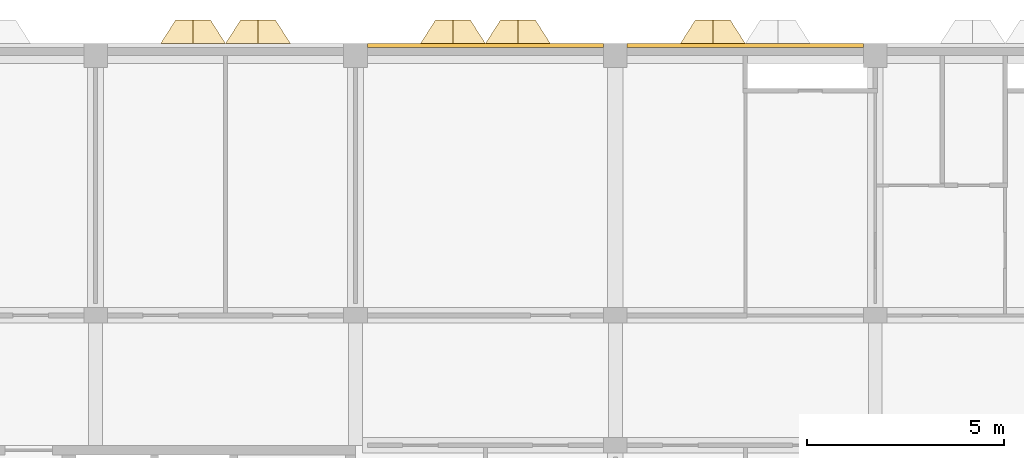
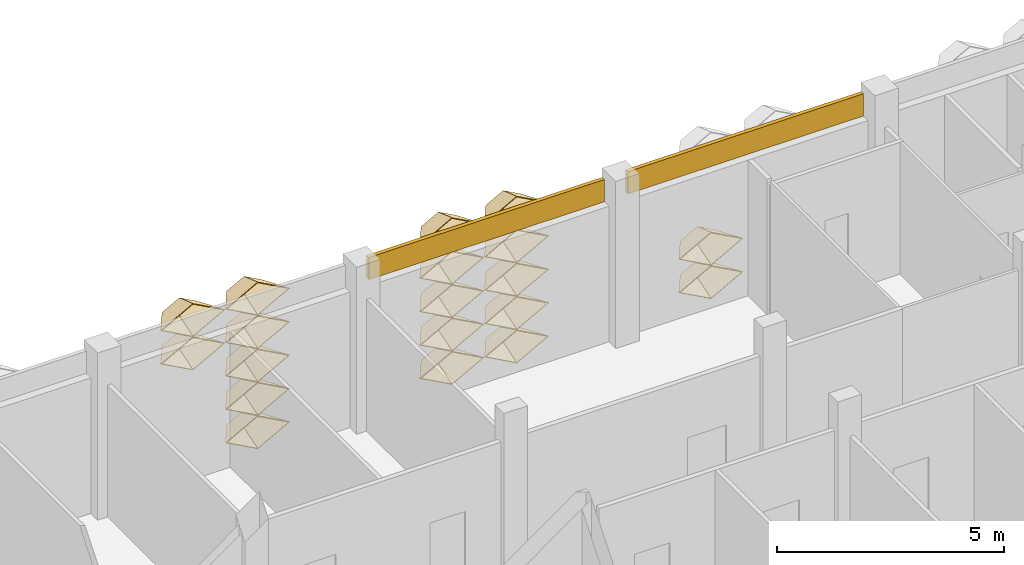
# One storey, part 95 of 109: 21 coverings.
"""IFC4 building model written with IfcOpenShell, lengths in metres."""

from ifc_helpers import new_model, entity, si_unit, direction, frame, frame_2d, origin, place, context, subcontext, project, spatial, rectangle, extrude, material, layer, layer_set, type_object, element, save


model = new_model("IFC4")

# Units and contexts
model_context = context("Model", 3, precision=1e-05, world=origin(), true_north=direction((0.0, 1.0)))
body_context = subcontext(model_context, "Body", "Model", "MODEL_VIEW")
ifc_project = project(units=[si_unit("LENGTHUNIT", "METRE"), si_unit("AREAUNIT", "SQUARE_METRE"), si_unit("VOLUMEUNIT", "CUBIC_METRE"), si_unit("PLANEANGLEUNIT", "RADIAN"), si_unit("MASSUNIT", "GRAM", prefix="KILO")], contexts=[model_context])

# Site, building, storey
site_placement = place(None, origin())
site = spatial("IfcSite", under=ifc_project, at=site_placement, CompositionType="ELEMENT")
building_placement = place(site_placement, origin())
building = spatial("IfcBuilding", under=site, at=building_placement, Name="Lantern Court Research Institute", CompositionType="ELEMENT")
storey_placement = place(building_placement, frame((0.0, 0.0, 14.39990234375)))
storey = spatial("IfcBuildingStorey", under=building, at=storey_placement, Name="L03", CompositionType="ELEMENT", Elevation=14.39990234375)

# Coverings
ifc_material_1 = material(Name="Aluminium composite panel with mineral wool insulation", Category="aluminium")
ifc_layer_1 = layer(ifc_material_1, 0.10009765625)
ifc_layer_set_1 = layer_set([ifc_layer_1], Name="Aluminium composite panel with mineral wool insulation")
covering_type_1 = type_object("IfcCoveringType", Name="Edge fascia panel 100 aluminium faced", PredefinedType="CLADDING", material=ifc_layer_set_1)
for number, where, z_axis, x_axis, name in (
    (1, (53.10009765625, 99.25, 3.650146484375), (0.0, 0.0, 1.0), (1.0, 0.0, 0.0), "Edge fascia V6N L03 08"),
    (2, (59.699951171875, 99.25, 3.650146484375), (0.0, 0.0, 1.0), (1.0, 0.0, 0.0), "Edge fascia V6N L03 09"),
):
    element("IfcCovering", number, at=place(storey_placement, frame(where, z_axis=z_axis, x_axis=x_axis)), inside=storey, type_object=covering_type_1, Name=name, PredefinedType="CLADDING", context=body_context, shape_type="SweptSolid", body=[
        extrude(rectangle(XDim=6.0, YDim=0.10009765625, at=frame_2d((3.0, 0.0))), origin(), (0.0, 0.0, 1.0), 0.599853515625),
    ])
ifc_material_2 = material(Name="Anodised aluminium", Category="aluminium")
ifc_layer_2 = layer(ifc_material_2, 0.01611328125)
ifc_layer_set_2 = layer_set([ifc_layer_2], Name="Anodised aluminium")
covering_type_2 = type_object("IfcCoveringType", Name="Fin cassette 1650 x 900 x 600 aluminium", PredefinedType="CLADDING", material=ifc_layer_set_2)
covering_1_placement = place(storey_placement, frame((50.324951171875, 99.300048828125, 0.4501953125), z_axis=(0.0, 1.0, 0.0), x_axis=(-1.0, 0.0, 0.0)))
cartesian_point_1 = entity("IfcCartesianPoint", [0.824951171875, 0.0])
cartesian_point_2 = entity("IfcCartesianPoint", [0.79150390625, 0.0])
cartesian_point_3 = entity("IfcCartesianPoint", [0.44189453125, 0.0])
cartesian_point_4 = entity("IfcCartesianPoint", [0.43359375, 0.0])
element("IfcCovering", 3, at=covering_1_placement, inside=storey, type_object=covering_type_2, Name="Fin cassette V6N-L03 1.31", PredefinedType="CLADDING", context=body_context, shape_type="SweptSolid", body=[
    entity("IfcExtrudedAreaSolidTapered", entity("IfcArbitraryProfileDefWithVoids", "AREA", None, entity("IfcPolyline", [cartesian_point_1, entity("IfcCartesianPoint", [0.0, 0.449951171875]), entity("IfcCartesianPoint", [-0.824951171875, 0.0]), entity("IfcCartesianPoint", [0.0, -0.449951171875]), cartesian_point_1]), [entity("IfcPolyline", [cartesian_point_2, entity("IfcCartesianPoint", [0.0, 0.431884765625]), entity("IfcCartesianPoint", [-0.79150390625, 0.0]), entity("IfcCartesianPoint", [0.0, -0.431884765625]), cartesian_point_2])]), entity("IfcAxis2Placement3D", entity("IfcCartesianPoint", [0.0, 0.0, 0.0])), entity("IfcDirection", [0.0, 0.0, 1.0]), 0.60009765625, entity("IfcArbitraryProfileDefWithVoids", "AREA", None, entity("IfcPolyline", [cartesian_point_3, entity("IfcCartesianPoint", [0.0, 0.240966796875]), entity("IfcCartesianPoint", [-0.44189453125, 0.0]), entity("IfcCartesianPoint", [0.0, -0.240966796875]), cartesian_point_3]), [entity("IfcPolyline", [cartesian_point_4, entity("IfcCartesianPoint", [0.0, 0.236572265625]), entity("IfcCartesianPoint", [-0.43359375, 0.0]), entity("IfcCartesianPoint", [0.0, -0.236572265625]), cartesian_point_4])])),
])
covering_2_placement = place(storey_placement, frame((55.27490234375, 99.300048828125, 0.4501953125), z_axis=(0.0, 1.0, 0.0), x_axis=(-1.0, 0.0, 0.0)))
cartesian_point_5 = entity("IfcCartesianPoint", [0.824951171875, 0.0])
cartesian_point_6 = entity("IfcCartesianPoint", [0.79150390625, 0.0])
cartesian_point_7 = entity("IfcCartesianPoint", [0.44189453125, 0.0])
cartesian_point_8 = entity("IfcCartesianPoint", [0.43359375, 0.0])
element("IfcCovering", 4, at=covering_2_placement, inside=storey, type_object=covering_type_2, Name="Fin cassette V6N-L03 1.34", PredefinedType="CLADDING", context=body_context, shape_type="SweptSolid", body=[
    entity("IfcExtrudedAreaSolidTapered", entity("IfcArbitraryProfileDefWithVoids", "AREA", None, entity("IfcPolyline", [cartesian_point_5, entity("IfcCartesianPoint", [0.0, 0.449951171875]), entity("IfcCartesianPoint", [-0.824951171875, 0.0]), entity("IfcCartesianPoint", [0.0, -0.449951171875]), cartesian_point_5]), [entity("IfcPolyline", [cartesian_point_6, entity("IfcCartesianPoint", [0.0, 0.431884765625]), entity("IfcCartesianPoint", [-0.79150390625, 0.0]), entity("IfcCartesianPoint", [0.0, -0.431884765625]), cartesian_point_6])]), entity("IfcAxis2Placement3D", entity("IfcCartesianPoint", [0.0, 0.0, 0.0])), entity("IfcDirection", [0.0, 0.0, 1.0]), 0.60009765625, entity("IfcArbitraryProfileDefWithVoids", "AREA", None, entity("IfcPolyline", [cartesian_point_7, entity("IfcCartesianPoint", [0.0, 0.240966796875]), entity("IfcCartesianPoint", [-0.44189453125, 0.0]), entity("IfcCartesianPoint", [0.0, -0.240966796875]), cartesian_point_7]), [entity("IfcPolyline", [cartesian_point_8, entity("IfcCartesianPoint", [0.0, 0.236572265625]), entity("IfcCartesianPoint", [-0.43359375, 0.0]), entity("IfcCartesianPoint", [0.0, -0.236572265625]), cartesian_point_8])])),
])
covering_3_placement = place(storey_placement, frame((56.925048828125, 99.300048828125, 0.4501953125), z_axis=(0.0, 1.0, 0.0), x_axis=(-1.0, 0.0, 0.0)))
cartesian_point_9 = entity("IfcCartesianPoint", [0.824951171875, 0.0])
cartesian_point_10 = entity("IfcCartesianPoint", [0.79150390625, 0.0])
cartesian_point_11 = entity("IfcCartesianPoint", [0.44189453125, 0.0])
cartesian_point_12 = entity("IfcCartesianPoint", [0.43359375, 0.0])
element("IfcCovering", 5, at=covering_3_placement, inside=storey, type_object=covering_type_2, Name="Fin cassette V6N-L03 1.35", PredefinedType="CLADDING", context=body_context, shape_type="SweptSolid", body=[
    entity("IfcExtrudedAreaSolidTapered", entity("IfcArbitraryProfileDefWithVoids", "AREA", None, entity("IfcPolyline", [cartesian_point_9, entity("IfcCartesianPoint", [0.0, 0.449951171875]), entity("IfcCartesianPoint", [-0.824951171875, 0.0]), entity("IfcCartesianPoint", [0.0, -0.449951171875]), cartesian_point_9]), [entity("IfcPolyline", [cartesian_point_10, entity("IfcCartesianPoint", [0.0, 0.431884765625]), entity("IfcCartesianPoint", [-0.79150390625, 0.0]), entity("IfcCartesianPoint", [0.0, -0.431884765625]), cartesian_point_10])]), entity("IfcAxis2Placement3D", entity("IfcCartesianPoint", [0.0, 0.0, 0.0])), entity("IfcDirection", [0.0, 0.0, 1.0]), 0.60009765625, entity("IfcArbitraryProfileDefWithVoids", "AREA", None, entity("IfcPolyline", [cartesian_point_11, entity("IfcCartesianPoint", [0.0, 0.240966796875]), entity("IfcCartesianPoint", [-0.44189453125, 0.0]), entity("IfcCartesianPoint", [0.0, -0.240966796875]), cartesian_point_11]), [entity("IfcPolyline", [cartesian_point_12, entity("IfcCartesianPoint", [0.0, 0.236572265625]), entity("IfcCartesianPoint", [-0.43359375, 0.0]), entity("IfcCartesianPoint", [0.0, -0.236572265625]), cartesian_point_12])])),
])
covering_4_placement = place(storey_placement, frame((61.875, 99.300048828125, 0.4501953125), z_axis=(0.0, 1.0, 0.0), x_axis=(-1.0, 0.0, 0.0)))
cartesian_point_13 = entity("IfcCartesianPoint", [0.824951171875, 0.0])
cartesian_point_14 = entity("IfcCartesianPoint", [0.79150390625, 0.0])
cartesian_point_15 = entity("IfcCartesianPoint", [0.44189453125, 0.0])
cartesian_point_16 = entity("IfcCartesianPoint", [0.43359375, 0.0])
element("IfcCovering", 6, at=covering_4_placement, inside=storey, type_object=covering_type_2, Name="Fin cassette V6N-L03 1.38", PredefinedType="CLADDING", context=body_context, shape_type="SweptSolid", body=[
    entity("IfcExtrudedAreaSolidTapered", entity("IfcArbitraryProfileDefWithVoids", "AREA", None, entity("IfcPolyline", [cartesian_point_13, entity("IfcCartesianPoint", [0.0, 0.449951171875]), entity("IfcCartesianPoint", [-0.824951171875, 0.0]), entity("IfcCartesianPoint", [0.0, -0.449951171875]), cartesian_point_13]), [entity("IfcPolyline", [cartesian_point_14, entity("IfcCartesianPoint", [0.0, 0.431884765625]), entity("IfcCartesianPoint", [-0.79150390625, 0.0]), entity("IfcCartesianPoint", [0.0, -0.431884765625]), cartesian_point_14])]), entity("IfcAxis2Placement3D", entity("IfcCartesianPoint", [0.0, 0.0, 0.0])), entity("IfcDirection", [0.0, 0.0, 1.0]), 0.60009765625, entity("IfcArbitraryProfileDefWithVoids", "AREA", None, entity("IfcPolyline", [cartesian_point_15, entity("IfcCartesianPoint", [0.0, 0.240966796875]), entity("IfcCartesianPoint", [-0.44189453125, 0.0]), entity("IfcCartesianPoint", [0.0, -0.240966796875]), cartesian_point_15]), [entity("IfcPolyline", [cartesian_point_16, entity("IfcCartesianPoint", [0.0, 0.236572265625]), entity("IfcCartesianPoint", [-0.43359375, 0.0]), entity("IfcCartesianPoint", [0.0, -0.236572265625]), cartesian_point_16])])),
])
covering_5_placement = place(storey_placement, frame((50.324951171875, 99.300048828125, 1.35009765625), z_axis=(0.0, 1.0, 0.0), x_axis=(-1.0, 0.0, 0.0)))
cartesian_point_17 = entity("IfcCartesianPoint", [0.824951171875, 0.0])
cartesian_point_18 = entity("IfcCartesianPoint", [0.79150390625, 0.0])
cartesian_point_19 = entity("IfcCartesianPoint", [0.44189453125, 0.0])
cartesian_point_20 = entity("IfcCartesianPoint", [0.43359375, 0.0])
element("IfcCovering", 7, at=covering_5_placement, inside=storey, type_object=covering_type_2, Name="Fin cassette V6N-L03 2.31", PredefinedType="CLADDING", context=body_context, shape_type="SweptSolid", body=[
    entity("IfcExtrudedAreaSolidTapered", entity("IfcArbitraryProfileDefWithVoids", "AREA", None, entity("IfcPolyline", [cartesian_point_17, entity("IfcCartesianPoint", [0.0, 0.449951171875]), entity("IfcCartesianPoint", [-0.824951171875, 0.0]), entity("IfcCartesianPoint", [0.0, -0.449951171875]), cartesian_point_17]), [entity("IfcPolyline", [cartesian_point_18, entity("IfcCartesianPoint", [0.0, 0.431884765625]), entity("IfcCartesianPoint", [-0.79150390625, 0.0]), entity("IfcCartesianPoint", [0.0, -0.431884765625]), cartesian_point_18])]), entity("IfcAxis2Placement3D", entity("IfcCartesianPoint", [0.0, 0.0, 0.0])), entity("IfcDirection", [0.0, 0.0, 1.0]), 0.60009765625, entity("IfcArbitraryProfileDefWithVoids", "AREA", None, entity("IfcPolyline", [cartesian_point_19, entity("IfcCartesianPoint", [0.0, 0.240966796875]), entity("IfcCartesianPoint", [-0.44189453125, 0.0]), entity("IfcCartesianPoint", [0.0, -0.240966796875]), cartesian_point_19]), [entity("IfcPolyline", [cartesian_point_20, entity("IfcCartesianPoint", [0.0, 0.236572265625]), entity("IfcCartesianPoint", [-0.43359375, 0.0]), entity("IfcCartesianPoint", [0.0, -0.236572265625]), cartesian_point_20])])),
])
covering_6_placement = place(storey_placement, frame((55.27490234375, 99.300048828125, 1.35009765625), z_axis=(0.0, 1.0, 0.0), x_axis=(-1.0, 0.0, 0.0)))
cartesian_point_21 = entity("IfcCartesianPoint", [0.824951171875, 0.0])
cartesian_point_22 = entity("IfcCartesianPoint", [0.79150390625, 0.0])
cartesian_point_23 = entity("IfcCartesianPoint", [0.44189453125, 0.0])
cartesian_point_24 = entity("IfcCartesianPoint", [0.43359375, 0.0])
element("IfcCovering", 8, at=covering_6_placement, inside=storey, type_object=covering_type_2, Name="Fin cassette V6N-L03 2.34", PredefinedType="CLADDING", context=body_context, shape_type="SweptSolid", body=[
    entity("IfcExtrudedAreaSolidTapered", entity("IfcArbitraryProfileDefWithVoids", "AREA", None, entity("IfcPolyline", [cartesian_point_21, entity("IfcCartesianPoint", [0.0, 0.449951171875]), entity("IfcCartesianPoint", [-0.824951171875, 0.0]), entity("IfcCartesianPoint", [0.0, -0.449951171875]), cartesian_point_21]), [entity("IfcPolyline", [cartesian_point_22, entity("IfcCartesianPoint", [0.0, 0.431884765625]), entity("IfcCartesianPoint", [-0.79150390625, 0.0]), entity("IfcCartesianPoint", [0.0, -0.431884765625]), cartesian_point_22])]), entity("IfcAxis2Placement3D", entity("IfcCartesianPoint", [0.0, 0.0, 0.0])), entity("IfcDirection", [0.0, 0.0, 1.0]), 0.60009765625, entity("IfcArbitraryProfileDefWithVoids", "AREA", None, entity("IfcPolyline", [cartesian_point_23, entity("IfcCartesianPoint", [0.0, 0.240966796875]), entity("IfcCartesianPoint", [-0.44189453125, 0.0]), entity("IfcCartesianPoint", [0.0, -0.240966796875]), cartesian_point_23]), [entity("IfcPolyline", [cartesian_point_24, entity("IfcCartesianPoint", [0.0, 0.236572265625]), entity("IfcCartesianPoint", [-0.43359375, 0.0]), entity("IfcCartesianPoint", [0.0, -0.236572265625]), cartesian_point_24])])),
])
covering_7_placement = place(storey_placement, frame((56.925048828125, 99.300048828125, 1.35009765625), z_axis=(0.0, 1.0, 0.0), x_axis=(-1.0, 0.0, 0.0)))
cartesian_point_25 = entity("IfcCartesianPoint", [0.824951171875, 0.0])
cartesian_point_26 = entity("IfcCartesianPoint", [0.79150390625, 0.0])
cartesian_point_27 = entity("IfcCartesianPoint", [0.44189453125, 0.0])
cartesian_point_28 = entity("IfcCartesianPoint", [0.43359375, 0.0])
element("IfcCovering", 9, at=covering_7_placement, inside=storey, type_object=covering_type_2, Name="Fin cassette V6N-L03 2.35", PredefinedType="CLADDING", context=body_context, shape_type="SweptSolid", body=[
    entity("IfcExtrudedAreaSolidTapered", entity("IfcArbitraryProfileDefWithVoids", "AREA", None, entity("IfcPolyline", [cartesian_point_25, entity("IfcCartesianPoint", [0.0, 0.449951171875]), entity("IfcCartesianPoint", [-0.824951171875, 0.0]), entity("IfcCartesianPoint", [0.0, -0.449951171875]), cartesian_point_25]), [entity("IfcPolyline", [cartesian_point_26, entity("IfcCartesianPoint", [0.0, 0.431884765625]), entity("IfcCartesianPoint", [-0.79150390625, 0.0]), entity("IfcCartesianPoint", [0.0, -0.431884765625]), cartesian_point_26])]), entity("IfcAxis2Placement3D", entity("IfcCartesianPoint", [0.0, 0.0, 0.0])), entity("IfcDirection", [0.0, 0.0, 1.0]), 0.60009765625, entity("IfcArbitraryProfileDefWithVoids", "AREA", None, entity("IfcPolyline", [cartesian_point_27, entity("IfcCartesianPoint", [0.0, 0.240966796875]), entity("IfcCartesianPoint", [-0.44189453125, 0.0]), entity("IfcCartesianPoint", [0.0, -0.240966796875]), cartesian_point_27]), [entity("IfcPolyline", [cartesian_point_28, entity("IfcCartesianPoint", [0.0, 0.236572265625]), entity("IfcCartesianPoint", [-0.43359375, 0.0]), entity("IfcCartesianPoint", [0.0, -0.236572265625]), cartesian_point_28])])),
])
covering_8_placement = place(storey_placement, frame((61.875, 99.300048828125, 1.35009765625), z_axis=(0.0, 1.0, 0.0), x_axis=(-1.0, 0.0, 0.0)))
cartesian_point_29 = entity("IfcCartesianPoint", [0.824951171875, 0.0])
cartesian_point_30 = entity("IfcCartesianPoint", [0.79150390625, 0.0])
cartesian_point_31 = entity("IfcCartesianPoint", [0.44189453125, 0.0])
cartesian_point_32 = entity("IfcCartesianPoint", [0.43359375, 0.0])
element("IfcCovering", 10, at=covering_8_placement, inside=storey, type_object=covering_type_2, Name="Fin cassette V6N-L03 2.38", PredefinedType="CLADDING", context=body_context, shape_type="SweptSolid", body=[
    entity("IfcExtrudedAreaSolidTapered", entity("IfcArbitraryProfileDefWithVoids", "AREA", None, entity("IfcPolyline", [cartesian_point_29, entity("IfcCartesianPoint", [0.0, 0.449951171875]), entity("IfcCartesianPoint", [-0.824951171875, 0.0]), entity("IfcCartesianPoint", [0.0, -0.449951171875]), cartesian_point_29]), [entity("IfcPolyline", [cartesian_point_30, entity("IfcCartesianPoint", [0.0, 0.431884765625]), entity("IfcCartesianPoint", [-0.79150390625, 0.0]), entity("IfcCartesianPoint", [0.0, -0.431884765625]), cartesian_point_30])]), entity("IfcAxis2Placement3D", entity("IfcCartesianPoint", [0.0, 0.0, 0.0])), entity("IfcDirection", [0.0, 0.0, 1.0]), 0.60009765625, entity("IfcArbitraryProfileDefWithVoids", "AREA", None, entity("IfcPolyline", [cartesian_point_31, entity("IfcCartesianPoint", [0.0, 0.240966796875]), entity("IfcCartesianPoint", [-0.44189453125, 0.0]), entity("IfcCartesianPoint", [0.0, -0.240966796875]), cartesian_point_31]), [entity("IfcPolyline", [cartesian_point_32, entity("IfcCartesianPoint", [0.0, 0.236572265625]), entity("IfcCartesianPoint", [-0.43359375, 0.0]), entity("IfcCartesianPoint", [0.0, -0.236572265625]), cartesian_point_32])])),
])
covering_9_placement = place(storey_placement, frame((50.324951171875, 99.300048828125, 2.25), z_axis=(0.0, 1.0, 0.0), x_axis=(-1.0, 0.0, 0.0)))
cartesian_point_33 = entity("IfcCartesianPoint", [0.824951171875, 0.0])
cartesian_point_34 = entity("IfcCartesianPoint", [0.79150390625, 0.0])
cartesian_point_35 = entity("IfcCartesianPoint", [0.44189453125, 0.0])
cartesian_point_36 = entity("IfcCartesianPoint", [0.43359375, 0.0])
element("IfcCovering", 11, at=covering_9_placement, inside=storey, type_object=covering_type_2, Name="Fin cassette V6N-L03 3.31", PredefinedType="CLADDING", context=body_context, shape_type="SweptSolid", body=[
    entity("IfcExtrudedAreaSolidTapered", entity("IfcArbitraryProfileDefWithVoids", "AREA", None, entity("IfcPolyline", [cartesian_point_33, entity("IfcCartesianPoint", [0.0, 0.449951171875]), entity("IfcCartesianPoint", [-0.824951171875, 0.0]), entity("IfcCartesianPoint", [0.0, -0.449951171875]), cartesian_point_33]), [entity("IfcPolyline", [cartesian_point_34, entity("IfcCartesianPoint", [0.0, 0.431884765625]), entity("IfcCartesianPoint", [-0.79150390625, 0.0]), entity("IfcCartesianPoint", [0.0, -0.431884765625]), cartesian_point_34])]), entity("IfcAxis2Placement3D", entity("IfcCartesianPoint", [0.0, 0.0, 0.0])), entity("IfcDirection", [0.0, 0.0, 1.0]), 0.60009765625, entity("IfcArbitraryProfileDefWithVoids", "AREA", None, entity("IfcPolyline", [cartesian_point_35, entity("IfcCartesianPoint", [0.0, 0.240966796875]), entity("IfcCartesianPoint", [-0.44189453125, 0.0]), entity("IfcCartesianPoint", [0.0, -0.240966796875]), cartesian_point_35]), [entity("IfcPolyline", [cartesian_point_36, entity("IfcCartesianPoint", [0.0, 0.236572265625]), entity("IfcCartesianPoint", [-0.43359375, 0.0]), entity("IfcCartesianPoint", [0.0, -0.236572265625]), cartesian_point_36])])),
])
covering_10_placement = place(storey_placement, frame((55.27490234375, 99.300048828125, 2.25), z_axis=(0.0, 1.0, 0.0), x_axis=(-1.0, 0.0, 0.0)))
cartesian_point_37 = entity("IfcCartesianPoint", [0.824951171875, 0.0])
cartesian_point_38 = entity("IfcCartesianPoint", [0.79150390625, 0.0])
cartesian_point_39 = entity("IfcCartesianPoint", [0.44189453125, 0.0])
cartesian_point_40 = entity("IfcCartesianPoint", [0.43359375, 0.0])
element("IfcCovering", 12, at=covering_10_placement, inside=storey, type_object=covering_type_2, Name="Fin cassette V6N-L03 3.34", PredefinedType="CLADDING", context=body_context, shape_type="SweptSolid", body=[
    entity("IfcExtrudedAreaSolidTapered", entity("IfcArbitraryProfileDefWithVoids", "AREA", None, entity("IfcPolyline", [cartesian_point_37, entity("IfcCartesianPoint", [0.0, 0.449951171875]), entity("IfcCartesianPoint", [-0.824951171875, 0.0]), entity("IfcCartesianPoint", [0.0, -0.449951171875]), cartesian_point_37]), [entity("IfcPolyline", [cartesian_point_38, entity("IfcCartesianPoint", [0.0, 0.431884765625]), entity("IfcCartesianPoint", [-0.79150390625, 0.0]), entity("IfcCartesianPoint", [0.0, -0.431884765625]), cartesian_point_38])]), entity("IfcAxis2Placement3D", entity("IfcCartesianPoint", [0.0, 0.0, 0.0])), entity("IfcDirection", [0.0, 0.0, 1.0]), 0.60009765625, entity("IfcArbitraryProfileDefWithVoids", "AREA", None, entity("IfcPolyline", [cartesian_point_39, entity("IfcCartesianPoint", [0.0, 0.240966796875]), entity("IfcCartesianPoint", [-0.44189453125, 0.0]), entity("IfcCartesianPoint", [0.0, -0.240966796875]), cartesian_point_39]), [entity("IfcPolyline", [cartesian_point_40, entity("IfcCartesianPoint", [0.0, 0.236572265625]), entity("IfcCartesianPoint", [-0.43359375, 0.0]), entity("IfcCartesianPoint", [0.0, -0.236572265625]), cartesian_point_40])])),
])
covering_11_placement = place(storey_placement, frame((56.925048828125, 99.300048828125, 2.25), z_axis=(0.0, 1.0, 0.0), x_axis=(-1.0, 0.0, 0.0)))
cartesian_point_41 = entity("IfcCartesianPoint", [0.824951171875, 0.0])
cartesian_point_42 = entity("IfcCartesianPoint", [0.79150390625, 0.0])
cartesian_point_43 = entity("IfcCartesianPoint", [0.44189453125, 0.0])
cartesian_point_44 = entity("IfcCartesianPoint", [0.43359375, 0.0])
element("IfcCovering", 13, at=covering_11_placement, inside=storey, type_object=covering_type_2, Name="Fin cassette V6N-L03 3.35", PredefinedType="CLADDING", context=body_context, shape_type="SweptSolid", body=[
    entity("IfcExtrudedAreaSolidTapered", entity("IfcArbitraryProfileDefWithVoids", "AREA", None, entity("IfcPolyline", [cartesian_point_41, entity("IfcCartesianPoint", [0.0, 0.449951171875]), entity("IfcCartesianPoint", [-0.824951171875, 0.0]), entity("IfcCartesianPoint", [0.0, -0.449951171875]), cartesian_point_41]), [entity("IfcPolyline", [cartesian_point_42, entity("IfcCartesianPoint", [0.0, 0.431884765625]), entity("IfcCartesianPoint", [-0.79150390625, 0.0]), entity("IfcCartesianPoint", [0.0, -0.431884765625]), cartesian_point_42])]), entity("IfcAxis2Placement3D", entity("IfcCartesianPoint", [0.0, 0.0, 0.0])), entity("IfcDirection", [0.0, 0.0, 1.0]), 0.60009765625, entity("IfcArbitraryProfileDefWithVoids", "AREA", None, entity("IfcPolyline", [cartesian_point_43, entity("IfcCartesianPoint", [0.0, 0.240966796875]), entity("IfcCartesianPoint", [-0.44189453125, 0.0]), entity("IfcCartesianPoint", [0.0, -0.240966796875]), cartesian_point_43]), [entity("IfcPolyline", [cartesian_point_44, entity("IfcCartesianPoint", [0.0, 0.236572265625]), entity("IfcCartesianPoint", [-0.43359375, 0.0]), entity("IfcCartesianPoint", [0.0, -0.236572265625]), cartesian_point_44])])),
])
covering_12_placement = place(storey_placement, frame((48.675048828125, 99.300048828125, 3.150146484375), z_axis=(0.0, 1.0, 0.0), x_axis=(-1.0, 0.0, 0.0)))
cartesian_point_45 = entity("IfcCartesianPoint", [0.824951171875, 0.0])
cartesian_point_46 = entity("IfcCartesianPoint", [0.79150390625, 0.0])
cartesian_point_47 = entity("IfcCartesianPoint", [0.44189453125, 0.0])
cartesian_point_48 = entity("IfcCartesianPoint", [0.43359375, 0.0])
element("IfcCovering", 14, at=covering_12_placement, inside=storey, type_object=covering_type_2, Name="Fin cassette V6N-L03 4.30", PredefinedType="CLADDING", context=body_context, shape_type="SweptSolid", body=[
    entity("IfcExtrudedAreaSolidTapered", entity("IfcArbitraryProfileDefWithVoids", "AREA", None, entity("IfcPolyline", [cartesian_point_45, entity("IfcCartesianPoint", [0.0, 0.449951171875]), entity("IfcCartesianPoint", [-0.824951171875, 0.0]), entity("IfcCartesianPoint", [0.0, -0.449951171875]), cartesian_point_45]), [entity("IfcPolyline", [cartesian_point_46, entity("IfcCartesianPoint", [0.0, 0.431884765625]), entity("IfcCartesianPoint", [-0.79150390625, 0.0]), entity("IfcCartesianPoint", [0.0, -0.431884765625]), cartesian_point_46])]), entity("IfcAxis2Placement3D", entity("IfcCartesianPoint", [0.0, 0.0, 0.0])), entity("IfcDirection", [0.0, 0.0, 1.0]), 0.60009765625, entity("IfcArbitraryProfileDefWithVoids", "AREA", None, entity("IfcPolyline", [cartesian_point_47, entity("IfcCartesianPoint", [0.0, 0.240966796875]), entity("IfcCartesianPoint", [-0.44189453125, 0.0]), entity("IfcCartesianPoint", [0.0, -0.240966796875]), cartesian_point_47]), [entity("IfcPolyline", [cartesian_point_48, entity("IfcCartesianPoint", [0.0, 0.236572265625]), entity("IfcCartesianPoint", [-0.43359375, 0.0]), entity("IfcCartesianPoint", [0.0, -0.236572265625]), cartesian_point_48])])),
])
covering_13_placement = place(storey_placement, frame((50.324951171875, 99.300048828125, 3.150146484375), z_axis=(0.0, 1.0, 0.0), x_axis=(-1.0, 0.0, 0.0)))
cartesian_point_49 = entity("IfcCartesianPoint", [0.824951171875, 0.0])
cartesian_point_50 = entity("IfcCartesianPoint", [0.79150390625, 0.0])
cartesian_point_51 = entity("IfcCartesianPoint", [0.44189453125, 0.0])
cartesian_point_52 = entity("IfcCartesianPoint", [0.43359375, 0.0])
element("IfcCovering", 15, at=covering_13_placement, inside=storey, type_object=covering_type_2, Name="Fin cassette V6N-L03 4.31", PredefinedType="CLADDING", context=body_context, shape_type="SweptSolid", body=[
    entity("IfcExtrudedAreaSolidTapered", entity("IfcArbitraryProfileDefWithVoids", "AREA", None, entity("IfcPolyline", [cartesian_point_49, entity("IfcCartesianPoint", [0.0, 0.449951171875]), entity("IfcCartesianPoint", [-0.824951171875, 0.0]), entity("IfcCartesianPoint", [0.0, -0.449951171875]), cartesian_point_49]), [entity("IfcPolyline", [cartesian_point_50, entity("IfcCartesianPoint", [0.0, 0.431884765625]), entity("IfcCartesianPoint", [-0.79150390625, 0.0]), entity("IfcCartesianPoint", [0.0, -0.431884765625]), cartesian_point_50])]), entity("IfcAxis2Placement3D", entity("IfcCartesianPoint", [0.0, 0.0, 0.0])), entity("IfcDirection", [0.0, 0.0, 1.0]), 0.60009765625, entity("IfcArbitraryProfileDefWithVoids", "AREA", None, entity("IfcPolyline", [cartesian_point_51, entity("IfcCartesianPoint", [0.0, 0.240966796875]), entity("IfcCartesianPoint", [-0.44189453125, 0.0]), entity("IfcCartesianPoint", [0.0, -0.240966796875]), cartesian_point_51]), [entity("IfcPolyline", [cartesian_point_52, entity("IfcCartesianPoint", [0.0, 0.236572265625]), entity("IfcCartesianPoint", [-0.43359375, 0.0]), entity("IfcCartesianPoint", [0.0, -0.236572265625]), cartesian_point_52])])),
])
covering_14_placement = place(storey_placement, frame((55.27490234375, 99.300048828125, 3.150146484375), z_axis=(0.0, 1.0, 0.0), x_axis=(-1.0, 0.0, 0.0)))
cartesian_point_53 = entity("IfcCartesianPoint", [0.824951171875, 0.0])
cartesian_point_54 = entity("IfcCartesianPoint", [0.79150390625, 0.0])
cartesian_point_55 = entity("IfcCartesianPoint", [0.44189453125, 0.0])
cartesian_point_56 = entity("IfcCartesianPoint", [0.43359375, 0.0])
element("IfcCovering", 16, at=covering_14_placement, inside=storey, type_object=covering_type_2, Name="Fin cassette V6N-L03 4.34", PredefinedType="CLADDING", context=body_context, shape_type="SweptSolid", body=[
    entity("IfcExtrudedAreaSolidTapered", entity("IfcArbitraryProfileDefWithVoids", "AREA", None, entity("IfcPolyline", [cartesian_point_53, entity("IfcCartesianPoint", [0.0, 0.449951171875]), entity("IfcCartesianPoint", [-0.824951171875, 0.0]), entity("IfcCartesianPoint", [0.0, -0.449951171875]), cartesian_point_53]), [entity("IfcPolyline", [cartesian_point_54, entity("IfcCartesianPoint", [0.0, 0.431884765625]), entity("IfcCartesianPoint", [-0.79150390625, 0.0]), entity("IfcCartesianPoint", [0.0, -0.431884765625]), cartesian_point_54])]), entity("IfcAxis2Placement3D", entity("IfcCartesianPoint", [0.0, 0.0, 0.0])), entity("IfcDirection", [0.0, 0.0, 1.0]), 0.60009765625, entity("IfcArbitraryProfileDefWithVoids", "AREA", None, entity("IfcPolyline", [cartesian_point_55, entity("IfcCartesianPoint", [0.0, 0.240966796875]), entity("IfcCartesianPoint", [-0.44189453125, 0.0]), entity("IfcCartesianPoint", [0.0, -0.240966796875]), cartesian_point_55]), [entity("IfcPolyline", [cartesian_point_56, entity("IfcCartesianPoint", [0.0, 0.236572265625]), entity("IfcCartesianPoint", [-0.43359375, 0.0]), entity("IfcCartesianPoint", [0.0, -0.236572265625]), cartesian_point_56])])),
])
covering_15_placement = place(storey_placement, frame((56.925048828125, 99.300048828125, 3.150146484375), z_axis=(0.0, 1.0, 0.0), x_axis=(-1.0, 0.0, 0.0)))
cartesian_point_57 = entity("IfcCartesianPoint", [0.824951171875, 0.0])
cartesian_point_58 = entity("IfcCartesianPoint", [0.79150390625, 0.0])
cartesian_point_59 = entity("IfcCartesianPoint", [0.44189453125, 0.0])
cartesian_point_60 = entity("IfcCartesianPoint", [0.43359375, 0.0])
element("IfcCovering", 17, at=covering_15_placement, inside=storey, type_object=covering_type_2, Name="Fin cassette V6N-L03 4.35", PredefinedType="CLADDING", context=body_context, shape_type="SweptSolid", body=[
    entity("IfcExtrudedAreaSolidTapered", entity("IfcArbitraryProfileDefWithVoids", "AREA", None, entity("IfcPolyline", [cartesian_point_57, entity("IfcCartesianPoint", [0.0, 0.449951171875]), entity("IfcCartesianPoint", [-0.824951171875, 0.0]), entity("IfcCartesianPoint", [0.0, -0.449951171875]), cartesian_point_57]), [entity("IfcPolyline", [cartesian_point_58, entity("IfcCartesianPoint", [0.0, 0.431884765625]), entity("IfcCartesianPoint", [-0.79150390625, 0.0]), entity("IfcCartesianPoint", [0.0, -0.431884765625]), cartesian_point_58])]), entity("IfcAxis2Placement3D", entity("IfcCartesianPoint", [0.0, 0.0, 0.0])), entity("IfcDirection", [0.0, 0.0, 1.0]), 0.60009765625, entity("IfcArbitraryProfileDefWithVoids", "AREA", None, entity("IfcPolyline", [cartesian_point_59, entity("IfcCartesianPoint", [0.0, 0.240966796875]), entity("IfcCartesianPoint", [-0.44189453125, 0.0]), entity("IfcCartesianPoint", [0.0, -0.240966796875]), cartesian_point_59]), [entity("IfcPolyline", [cartesian_point_60, entity("IfcCartesianPoint", [0.0, 0.236572265625]), entity("IfcCartesianPoint", [-0.43359375, 0.0]), entity("IfcCartesianPoint", [0.0, -0.236572265625]), cartesian_point_60])])),
])
covering_16_placement = place(storey_placement, frame((48.675048828125, 99.300048828125, 4.050048828125), z_axis=(0.0, 1.0, 0.0), x_axis=(-1.0, 0.0, 0.0)))
cartesian_point_61 = entity("IfcCartesianPoint", [0.824951171875, 0.0])
cartesian_point_62 = entity("IfcCartesianPoint", [0.79150390625, 0.0])
cartesian_point_63 = entity("IfcCartesianPoint", [0.44189453125, 0.0])
cartesian_point_64 = entity("IfcCartesianPoint", [0.43359375, 0.0])
element("IfcCovering", 18, at=covering_16_placement, inside=storey, type_object=covering_type_2, Name="Fin cassette V6N-L03 5.30", PredefinedType="CLADDING", context=body_context, shape_type="SweptSolid", body=[
    entity("IfcExtrudedAreaSolidTapered", entity("IfcArbitraryProfileDefWithVoids", "AREA", None, entity("IfcPolyline", [cartesian_point_61, entity("IfcCartesianPoint", [0.0, 0.449951171875]), entity("IfcCartesianPoint", [-0.824951171875, 0.0]), entity("IfcCartesianPoint", [0.0, -0.449951171875]), cartesian_point_61]), [entity("IfcPolyline", [cartesian_point_62, entity("IfcCartesianPoint", [0.0, 0.431884765625]), entity("IfcCartesianPoint", [-0.79150390625, 0.0]), entity("IfcCartesianPoint", [0.0, -0.431884765625]), cartesian_point_62])]), entity("IfcAxis2Placement3D", entity("IfcCartesianPoint", [0.0, 0.0, 0.0])), entity("IfcDirection", [0.0, 0.0, 1.0]), 0.60009765625, entity("IfcArbitraryProfileDefWithVoids", "AREA", None, entity("IfcPolyline", [cartesian_point_63, entity("IfcCartesianPoint", [0.0, 0.240966796875]), entity("IfcCartesianPoint", [-0.44189453125, 0.0]), entity("IfcCartesianPoint", [0.0, -0.240966796875]), cartesian_point_63]), [entity("IfcPolyline", [cartesian_point_64, entity("IfcCartesianPoint", [0.0, 0.236572265625]), entity("IfcCartesianPoint", [-0.43359375, 0.0]), entity("IfcCartesianPoint", [0.0, -0.236572265625]), cartesian_point_64])])),
])
covering_17_placement = place(storey_placement, frame((50.324951171875, 99.300048828125, 4.050048828125), z_axis=(0.0, 1.0, 0.0), x_axis=(-1.0, 0.0, 0.0)))
cartesian_point_65 = entity("IfcCartesianPoint", [0.824951171875, 0.0])
cartesian_point_66 = entity("IfcCartesianPoint", [0.79150390625, 0.0])
cartesian_point_67 = entity("IfcCartesianPoint", [0.44189453125, 0.0])
cartesian_point_68 = entity("IfcCartesianPoint", [0.43359375, 0.0])
element("IfcCovering", 19, at=covering_17_placement, inside=storey, type_object=covering_type_2, Name="Fin cassette V6N-L03 5.31", PredefinedType="CLADDING", context=body_context, shape_type="SweptSolid", body=[
    entity("IfcExtrudedAreaSolidTapered", entity("IfcArbitraryProfileDefWithVoids", "AREA", None, entity("IfcPolyline", [cartesian_point_65, entity("IfcCartesianPoint", [0.0, 0.449951171875]), entity("IfcCartesianPoint", [-0.824951171875, 0.0]), entity("IfcCartesianPoint", [0.0, -0.449951171875]), cartesian_point_65]), [entity("IfcPolyline", [cartesian_point_66, entity("IfcCartesianPoint", [0.0, 0.431884765625]), entity("IfcCartesianPoint", [-0.79150390625, 0.0]), entity("IfcCartesianPoint", [0.0, -0.431884765625]), cartesian_point_66])]), entity("IfcAxis2Placement3D", entity("IfcCartesianPoint", [0.0, 0.0, 0.0])), entity("IfcDirection", [0.0, 0.0, 1.0]), 0.60009765625, entity("IfcArbitraryProfileDefWithVoids", "AREA", None, entity("IfcPolyline", [cartesian_point_67, entity("IfcCartesianPoint", [0.0, 0.240966796875]), entity("IfcCartesianPoint", [-0.44189453125, 0.0]), entity("IfcCartesianPoint", [0.0, -0.240966796875]), cartesian_point_67]), [entity("IfcPolyline", [cartesian_point_68, entity("IfcCartesianPoint", [0.0, 0.236572265625]), entity("IfcCartesianPoint", [-0.43359375, 0.0]), entity("IfcCartesianPoint", [0.0, -0.236572265625]), cartesian_point_68])])),
])
covering_18_placement = place(storey_placement, frame((55.27490234375, 99.300048828125, 4.050048828125), z_axis=(0.0, 1.0, 0.0), x_axis=(-1.0, 0.0, 0.0)))
cartesian_point_69 = entity("IfcCartesianPoint", [0.824951171875, 0.0])
cartesian_point_70 = entity("IfcCartesianPoint", [0.79150390625, 0.0])
cartesian_point_71 = entity("IfcCartesianPoint", [0.44189453125, 0.0])
cartesian_point_72 = entity("IfcCartesianPoint", [0.43359375, 0.0])
element("IfcCovering", 20, at=covering_18_placement, inside=storey, type_object=covering_type_2, Name="Fin cassette V6N-L03 5.34", PredefinedType="CLADDING", context=body_context, shape_type="SweptSolid", body=[
    entity("IfcExtrudedAreaSolidTapered", entity("IfcArbitraryProfileDefWithVoids", "AREA", None, entity("IfcPolyline", [cartesian_point_69, entity("IfcCartesianPoint", [0.0, 0.449951171875]), entity("IfcCartesianPoint", [-0.824951171875, 0.0]), entity("IfcCartesianPoint", [0.0, -0.449951171875]), cartesian_point_69]), [entity("IfcPolyline", [cartesian_point_70, entity("IfcCartesianPoint", [0.0, 0.431884765625]), entity("IfcCartesianPoint", [-0.79150390625, 0.0]), entity("IfcCartesianPoint", [0.0, -0.431884765625]), cartesian_point_70])]), entity("IfcAxis2Placement3D", entity("IfcCartesianPoint", [0.0, 0.0, 0.0])), entity("IfcDirection", [0.0, 0.0, 1.0]), 0.60009765625, entity("IfcArbitraryProfileDefWithVoids", "AREA", None, entity("IfcPolyline", [cartesian_point_71, entity("IfcCartesianPoint", [0.0, 0.240966796875]), entity("IfcCartesianPoint", [-0.44189453125, 0.0]), entity("IfcCartesianPoint", [0.0, -0.240966796875]), cartesian_point_71]), [entity("IfcPolyline", [cartesian_point_72, entity("IfcCartesianPoint", [0.0, 0.236572265625]), entity("IfcCartesianPoint", [-0.43359375, 0.0]), entity("IfcCartesianPoint", [0.0, -0.236572265625]), cartesian_point_72])])),
])
covering_19_placement = place(storey_placement, frame((56.925048828125, 99.300048828125, 4.050048828125), z_axis=(0.0, 1.0, 0.0), x_axis=(-1.0, 0.0, 0.0)))
cartesian_point_73 = entity("IfcCartesianPoint", [0.824951171875, 0.0])
cartesian_point_74 = entity("IfcCartesianPoint", [0.79150390625, 0.0])
cartesian_point_75 = entity("IfcCartesianPoint", [0.44189453125, 0.0])
cartesian_point_76 = entity("IfcCartesianPoint", [0.43359375, 0.0])
element("IfcCovering", 21, at=covering_19_placement, inside=storey, type_object=covering_type_2, Name="Fin cassette V6N-L03 5.35", PredefinedType="CLADDING", context=body_context, shape_type="SweptSolid", body=[
    entity("IfcExtrudedAreaSolidTapered", entity("IfcArbitraryProfileDefWithVoids", "AREA", None, entity("IfcPolyline", [cartesian_point_73, entity("IfcCartesianPoint", [0.0, 0.449951171875]), entity("IfcCartesianPoint", [-0.824951171875, 0.0]), entity("IfcCartesianPoint", [0.0, -0.449951171875]), cartesian_point_73]), [entity("IfcPolyline", [cartesian_point_74, entity("IfcCartesianPoint", [0.0, 0.431884765625]), entity("IfcCartesianPoint", [-0.79150390625, 0.0]), entity("IfcCartesianPoint", [0.0, -0.431884765625]), cartesian_point_74])]), entity("IfcAxis2Placement3D", entity("IfcCartesianPoint", [0.0, 0.0, 0.0])), entity("IfcDirection", [0.0, 0.0, 1.0]), 0.60009765625, entity("IfcArbitraryProfileDefWithVoids", "AREA", None, entity("IfcPolyline", [cartesian_point_75, entity("IfcCartesianPoint", [0.0, 0.240966796875]), entity("IfcCartesianPoint", [-0.44189453125, 0.0]), entity("IfcCartesianPoint", [0.0, -0.240966796875]), cartesian_point_75]), [entity("IfcPolyline", [cartesian_point_76, entity("IfcCartesianPoint", [0.0, 0.236572265625]), entity("IfcCartesianPoint", [-0.43359375, 0.0]), entity("IfcCartesianPoint", [0.0, -0.236572265625]), cartesian_point_76])])),
])

save(model, "model.ifc")
